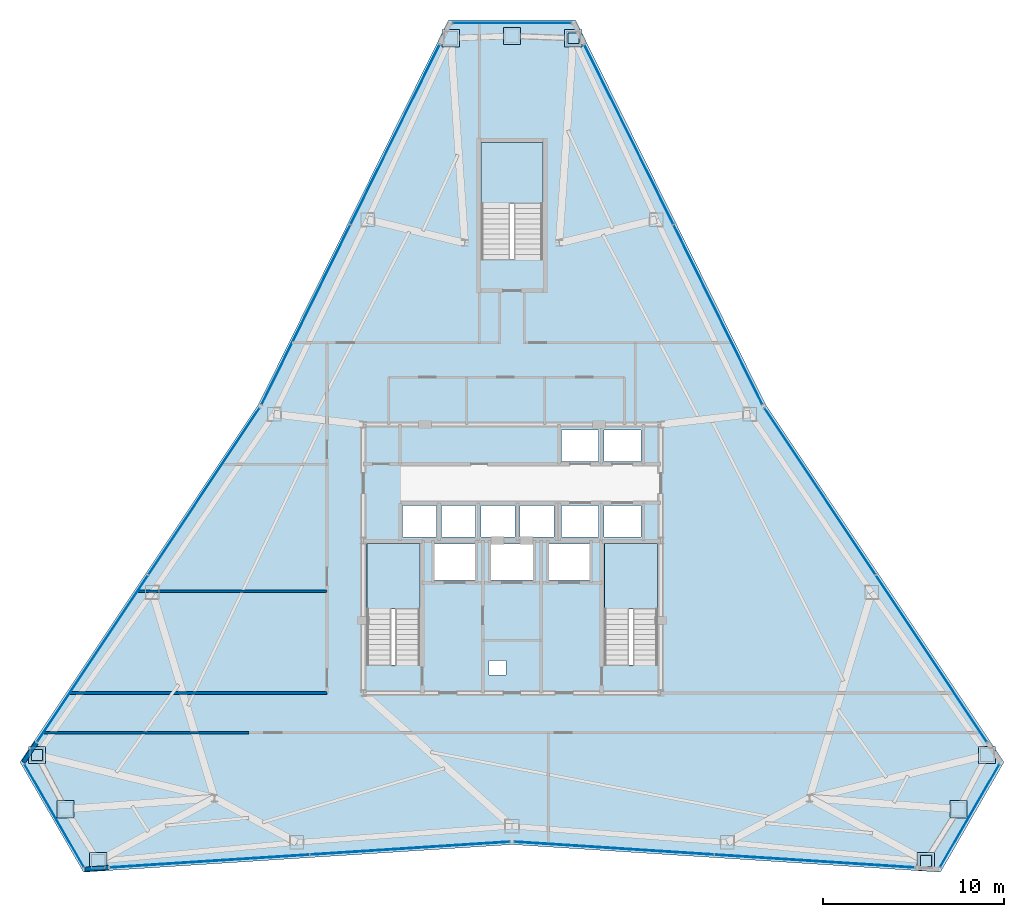
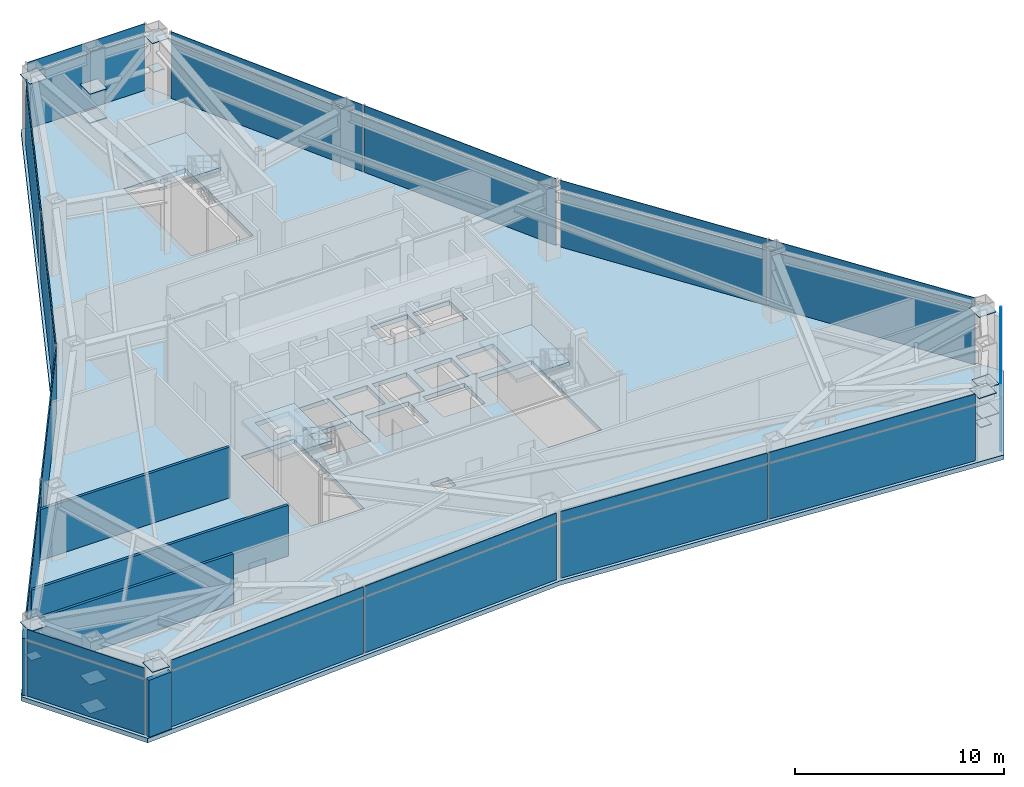
# One storey, part 9 of 13: 45 plates, 5 walls, 4 slabs, 12 elements without a shape of their own.
"""IFC4 building model written with IfcOpenShell, lengths in metres."""

from ifc_helpers import new_model, si_unit, direction, frame, frame_2d, origin, origin_2d, place, context, subcontext, project, spatial, polyline, rectangle, outline, extrude, source, transform, mapped, material, layer, layer_set, type_object, type_shapes, element, aggregate, save


model = new_model("IFC4")

# Units and contexts
model_context = context("Model", 3, precision=1e-05, world=origin(), true_north=direction((0.0, 1.0)))
body_context = subcontext(model_context, "Body", "Model", "MODEL_VIEW")
ifc_project = project(units=[si_unit("LENGTHUNIT", "METRE"), si_unit("AREAUNIT", "SQUARE_METRE"), si_unit("VOLUMEUNIT", "CUBIC_METRE"), si_unit("PLANEANGLEUNIT", "RADIAN"), si_unit("MASSUNIT", "GRAM", prefix="KILO")], contexts=[model_context])

# Site, building, storey
site_placement = place(None, origin())
site = spatial("IfcSite", under=ifc_project, at=site_placement, CompositionType="ELEMENT")
building_placement = place(site_placement, origin())
building = spatial("IfcBuilding", under=site, at=building_placement, Name="Varakhsha Concourse Tower", CompositionType="ELEMENT")
storey_placement = place(building_placement, frame((0.0, 0.0, 200.699951171875)))
storey = spatial("IfcBuildingStorey", under=building, at=storey_placement, Name="L57", CompositionType="ELEMENT", Elevation=200.699951171875)

# Slab
ifc_material_1 = material(Name="Concrete fc 45 MPa", Category="concrete")
ifc_layer_1 = layer(ifc_material_1, 0.260009765625, Name="SL-FLR-260")
ifc_layer_set_1 = layer_set([ifc_layer_1], Name="Concrete fc 45 MPa")
slab_type_1 = type_object("IfcSlabType", Name="SL-FLR-260", PredefinedType="FLOOR", material=ifc_layer_set_1)
slab_1_placement = place(storey_placement, frame((0.0, 0.0, -0.260009765625)))
element("IfcSlab", 1, at=slab_1_placement, inside=storey, type_object=slab_type_1, Name="L57 Composite Structural Slab", PredefinedType="FLOOR", context=body_context, shape_type="SweptSolid", body=[
    extrude(outline(polyline([(43.5, 53.497802734375), (36.5, 53.497802734375), (26.00537109375, 32.27978515625), (12.877197265625, 12.582275390625), (16.377197265625, 6.52001953125), (40.0, 8.04052734375), (63.622802734375, 6.52001953125), (67.122802734375, 12.582275390625), (53.99462890625, 32.27978515625), (43.5, 53.497802734375)]), holes=[polyline([(34.919921875, 17.93994140625), (34.919921875, 24.6298828125), (32.0, 24.6298828125), (32.0, 17.93994140625), (34.919921875, 17.93994140625)]), polyline([(48.02001953125, 17.93994140625), (48.02001953125, 24.6298828125), (45.10009765625, 24.6298828125), (45.10009765625, 17.93994140625), (48.02001953125, 17.93994140625)]), polyline([(41.699951171875, 40.300048828125), (41.699951171875, 46.75), (38.300048828125, 46.75), (38.300048828125, 40.300048828125), (41.699951171875, 40.300048828125)]), polyline([(33.9599609375, 25.0), (35.840087890625, 25.0), (35.840087890625, 26.739990234375), (33.9599609375, 26.739990234375), (33.9599609375, 25.0)]), polyline([(36.1201171875, 25.0), (38.0, 25.0), (38.0, 26.739990234375), (36.1201171875, 26.739990234375), (36.1201171875, 25.0)]), polyline([(38.280029296875, 25.0), (40.159912109375, 25.0), (40.159912109375, 26.739990234375), (38.280029296875, 26.739990234375), (38.280029296875, 25.0)]), polyline([(40.43994140625, 25.0), (42.320068359375, 25.0), (42.320068359375, 26.739990234375), (40.43994140625, 26.739990234375), (40.43994140625, 25.0)]), polyline([(42.739990234375, 29.159912109375), (44.780029296875, 29.159912109375), (44.780029296875, 30.89990234375), (42.739990234375, 30.89990234375), (42.739990234375, 29.159912109375)]), polyline([(45.06005859375, 29.159912109375), (47.10009765625, 29.159912109375), (47.10009765625, 30.89990234375), (45.06005859375, 30.89990234375), (45.06005859375, 29.159912109375)]), polyline([(42.739990234375, 25.0), (44.780029296875, 25.0), (44.780029296875, 26.739990234375), (42.739990234375, 26.739990234375), (42.739990234375, 25.0)]), polyline([(45.06005859375, 25.0), (47.10009765625, 25.0), (47.10009765625, 26.739990234375), (45.06005859375, 26.739990234375), (45.06005859375, 25.0)]), polyline([(35.7099609375, 22.639892578125), (37.989990234375, 22.639892578125), (37.989990234375, 24.60009765625), (35.7099609375, 24.60009765625), (35.7099609375, 22.639892578125)]), polyline([(42.010009765625, 22.639892578125), (44.2900390625, 22.639892578125), (44.2900390625, 24.60009765625), (42.010009765625, 24.60009765625), (42.010009765625, 22.639892578125)]), polyline([(38.81005859375, 22.639892578125), (41.18994140625, 22.639892578125), (41.18994140625, 24.60009765625), (38.81005859375, 24.60009765625), (38.81005859375, 22.639892578125)]), polyline([(38.719970703125, 17.39990234375), (39.679931640625, 17.39990234375), (39.679931640625, 18.199951171875), (38.719970703125, 18.199951171875), (38.719970703125, 17.39990234375)])]), origin(), (0.0, 0.0, 1.0), 0.260009765625),
])

# Stair, slab
stair_type_1 = type_object("IfcStairType", Name="ST-DOGLEG-1360", PredefinedType="HALF_TURN_STAIR", material=ifc_material_1)
stair_1_placement = place(storey_placement, origin())
stair_1 = element("IfcStair", 2, at=stair_1_placement, inside=storey, type_object=stair_type_1, Name="L57 Protected Exit Stair ST1", PredefinedType="HALF_TURN_STAIR")
ifc_layer_2 = layer(ifc_material_1, 0.199951171875, Name="SL-LAND-200")
ifc_layer_set_2 = layer_set([ifc_layer_2], Name="Concrete fc 45 MPa")
slab_type_2 = type_object("IfcSlabType", Name="SL-LAND-200", PredefinedType="LANDING", material=ifc_layer_set_2)
slab_2_placement = place(storey_placement, frame((0.0, 0.0, 1.900146484375)))
slab_2 = element("IfcSlab", 3, at=slab_2_placement, type_object=slab_type_2, Name="ST1 landing 1", PredefinedType="LANDING", context=body_context, shape_type="SweptSolid", body=[
    extrude(outline(polyline([(34.919921875, 21.02001953125), (34.919921875, 24.6298828125), (32.0, 24.6298828125), (32.0, 21.02001953125), (34.919921875, 21.02001953125)])), origin(), (0.0, 0.0, 1.0), 0.199951171875),
])
aggregate(stair_1, [slab_2])

stair_2_placement = place(storey_placement, origin())
stair_2 = element("IfcStair", 4, at=stair_2_placement, inside=storey, type_object=stair_type_1, Name="L57 Protected Exit Stair ST2", PredefinedType="HALF_TURN_STAIR")
slab_3_placement = place(storey_placement, frame((0.0, 0.0, 1.900146484375)))
slab_3 = element("IfcSlab", 5, at=slab_3_placement, type_object=slab_type_2, Name="ST2 landing 1", PredefinedType="LANDING", context=body_context, shape_type="SweptSolid", body=[
    extrude(outline(polyline([(48.02001953125, 21.02001953125), (48.02001953125, 24.6298828125), (45.10009765625, 24.6298828125), (45.10009765625, 21.02001953125), (48.02001953125, 21.02001953125)])), origin(), (0.0, 0.0, 1.0), 0.199951171875),
])
aggregate(stair_2, [slab_3])

stair_type_2 = type_object("IfcStairType", Name="ST-DOGLEG-1600", PredefinedType="HALF_TURN_STAIR", material=ifc_material_1)
stair_3_placement = place(storey_placement, origin())
stair_3 = element("IfcStair", 6, at=stair_3_placement, inside=storey, type_object=stair_type_2, Name="L57 Protected Exit Stair ST5", PredefinedType="HALF_TURN_STAIR")
slab_4_placement = place(storey_placement, frame((0.0, 0.0, 1.900146484375)))
slab_4 = element("IfcSlab", 7, at=slab_4_placement, type_object=slab_type_2, Name="ST5 landing 1", PredefinedType="LANDING", context=body_context, shape_type="SweptSolid", body=[
    extrude(outline(polyline([(41.699951171875, 43.3798828125), (41.699951171875, 46.75), (38.300048828125, 46.75), (38.300048828125, 43.3798828125), (41.699951171875, 43.3798828125)])), origin(), (0.0, 0.0, 1.0), 0.199951171875),
])
aggregate(stair_3, [slab_4])

# Plates
ifc_material_2 = material(Name="Structural Steel ASTM A572 Grade 50", Category="steel")
ifc_layer_3 = layer(ifc_material_2, 0.030029296875, Name="PL-ENDCAP-950")
ifc_layer_set_3 = layer_set([ifc_layer_3], Name="Structural Steel ASTM A572 Grade 50")
plate_type_1 = type_object("IfcPlateType", Name="PL-ENDCAP-950", PredefinedType="USERDEFINED", material=ifc_layer_set_3)
shared_shape_1 = source(origin(), body_context, "Body", "SweptSolid", [
    extrude(rectangle(XDim=0.949951171875, YDim=0.949951171875, at=origin_2d()), origin(), (0.0, 0.0, 1.0), 0.030029296875),
])
type_shapes(plate_type_1, [shared_shape_1])
for number, where, z_axis, x_axis, name in (
    (8, (40.0, 52.617919921875, 0.10498046875), (0.0, 0.0, 1.0), (1.0, 0.0, 0.0), "Hollow Section End Cap GP-NODE-L57-0583"),
    (9, (43.3798828125, 52.492919921875, 3.63525390625), (0.0, 0.0, 1.0), (1.0, 0.0, 0.0), "Hollow Section End Cap GP-NODE-L57-0584"),
    (10, (36.6201171875, 52.492919921875, 3.63525390625), (0.0, 0.0, 1.0), (1.0, 0.0, 0.0), "Hollow Section End Cap GP-NODE-L57-0585"),
    (11, (15.389404296875, 9.9912109375, 0.10498046875), (0.0, 0.0, 1.0), (1.0, 0.0, 0.0), "Hollow Section End Cap GP-NODE-L57-0586"),
    (12, (13.8076171875, 12.980712890625, 3.63525390625), (0.0, 0.0, 1.0), (1.0, 0.0, 0.0), "Hollow Section End Cap GP-NODE-L57-0587"),
    (13, (17.1875, 7.12646484375, 3.63525390625), (0.0, 0.0, 1.0), (1.0, 0.0, 0.0), "Hollow Section End Cap GP-NODE-L57-0588"),
    (14, (64.610595703125, 9.9912109375, 0.10498046875), (0.0, 0.0, 1.0), (1.0, 0.0, 0.0), "Hollow Section End Cap GP-NODE-L57-0589"),
    (15, (62.8125, 7.12646484375, 3.63525390625), (0.0, 0.0, 1.0), (1.0, 0.0, 0.0), "Hollow Section End Cap GP-NODE-L57-0590"),
    (16, (66.1923828125, 12.980712890625, 3.63525390625), (0.0, 0.0, 1.0), (1.0, 0.0, 0.0), "Hollow Section End Cap GP-NODE-L57-0591"),
    (17, (40.0, 52.617919921875, 1.78515625), (0.0, 0.0, 1.0), (1.0, 0.0, 0.0), "Hollow Section End Cap GP-NODE-L57-0592"),
    (18, (15.389404296875, 9.9912109375, 1.78515625), (0.0, 0.0, 1.0), (1.0, 0.0, 0.0), "Hollow Section End Cap GP-NODE-L57-0593"),
    (19, (64.610595703125, 9.9912109375, 1.78515625), (0.0, 0.0, 1.0), (1.0, 0.0, 0.0), "Hollow Section End Cap GP-NODE-L57-0594"),
):
    element("IfcPlate", number, at=place(storey_placement, frame(where, z_axis=z_axis, x_axis=x_axis)), inside=storey, type_object=plate_type_1, Name=name, ObjectType="END PLATE", PredefinedType="USERDEFINED", context=body_context, shape_type="MappedRepresentation", body=[
        mapped(shared_shape_1, transform((0.0, 0.0, 0.0), scale=1.0)),
    ])
ifc_layer_4 = layer(ifc_material_2, 0.030029296875, Name="PL-BASE-600")
ifc_layer_set_4 = layer_set([ifc_layer_4], Name="Structural Steel ASTM A572 Grade 50")
plate_type_2 = type_object("IfcPlateType", Name="PL-BASE-600", PredefinedType="SHEET", material=ifc_layer_set_4)
shared_shape_2 = source(origin(), body_context, "Body", "SweptSolid", [
    extrude(rectangle(XDim=0.60009765625, YDim=0.60009765625, at=origin_2d()), origin(), (0.0, 0.0, 1.0), 0.030029296875),
])
type_shapes(plate_type_2, [shared_shape_2])
for number, where, z_axis, x_axis, name in (
    (20, (43.3798828125, 52.492919921875, 1.78515625), (0.0, 0.0, 1.0), (1.0, 0.0, 0.0), "Hollow Section End Cap BP-WTIE-L57-1"),
    (21, (13.8076171875, 12.980712890625, 1.78515625), (0.0, 0.0, 1.0), (1.0, 0.0, 0.0), "Hollow Section End Cap BP-WTIE-L57-2"),
    (22, (62.8125, 7.12646484375, 1.78515625), (0.0, 0.0, 1.0), (1.0, 0.0, 0.0), "Hollow Section End Cap BP-WTIE-L57-3"),
):
    element("IfcPlate", number, at=place(storey_placement, frame(where, z_axis=z_axis, x_axis=x_axis)), inside=storey, type_object=plate_type_2, Name=name, PredefinedType="SHEET", context=body_context, shape_type="MappedRepresentation", body=[
        mapped(shared_shape_2, transform((0.0, 0.0, 0.0), scale=1.0)),
    ])

# Curtain wall, plates
ifc_material_3 = material(Name="Anodised Bronze Architectural Aluminium AA 6063-T6", Category="aluminium")
ifc_layer_5 = layer(ifc_material_3, 0.199951171875, Name="CW-SYS-05")
ifc_layer_set_5 = layer_set([ifc_layer_5], Name="Anodised Bronze Architectural Aluminium AA 6063-T6")
curtain_wall_type = type_object("IfcCurtainWallType", Name="CW-SYS-05", PredefinedType="NOTDEFINED", material=ifc_layer_set_5)
curtain_wall_1_placement = place(storey_placement, origin())
curtain_wall_1 = element("IfcCurtainWall", 23, at=curtain_wall_1_placement, inside=storey, type_object=curtain_wall_type, Name="L57 Chamfer Curtain Wall F1", PredefinedType="NOTDEFINED")
ifc_material_4 = material(Name="Insulated Anodised Bronze Aluminium Spandrel 36 mm", Category="aluminium")
ifc_layer_6 = layer(ifc_material_4, 0.035888671875, Name="CWP-SPN-36")
ifc_layer_set_6 = layer_set([ifc_layer_6], Name="Insulated Anodised Bronze Aluminium Spandrel 36 mm")
plate_type_3 = type_object("IfcPlateType", Name="CWP-SPN-36", PredefinedType="USERDEFINED", material=ifc_layer_set_6)
shared_shape_3 = source(origin(), body_context, "Body", "SweptSolid", [
    extrude(rectangle(XDim=6.490966796875, YDim=0.035888671875, at=origin_2d()), origin(), (0.0, 0.0, 1.0), 3.236083984375),
])
plate_1_placement = place(storey_placement, frame((40.0, 53.337890625, 0.0322265625), z_axis=(0.0, 0.0, 1.0), x_axis=(1.0, 0.0, 0.0)))
plate_1 = element("IfcPlate", 24, at=plate_1_placement, type_object=plate_type_3, Name="CW-L57-F1 Panel 00-00", ObjectType="SPANDREL", PredefinedType="USERDEFINED", context=body_context, shape_type="MappedRepresentation", body=[
    mapped(shared_shape_3, transform((0.0, 0.0, 0.0), scale=1.0)),
])
shared_shape_4 = source(origin(), body_context, "Body", "SweptSolid", [
    extrude(rectangle(XDim=6.490966796875, YDim=0.035888671875, at=origin_2d()), origin(), (0.0, 0.0, 1.0), 0.5859375),
])
plate_2_placement = place(storey_placement, frame((40.0, 53.337890625, 3.33203125), z_axis=(0.0, 0.0, 1.0), x_axis=(1.0, 0.0, 0.0)))
plate_2 = element("IfcPlate", 25, at=plate_2_placement, type_object=plate_type_3, Name="CW-L57-F1 Panel 00-01", ObjectType="SPANDREL", PredefinedType="USERDEFINED", context=body_context, shape_type="MappedRepresentation", body=[
    mapped(shared_shape_4, transform((0.0, 0.0, 0.0), scale=1.0)),
])
aggregate(curtain_wall_1, [plate_1, plate_2])

# Curtain wall, plate
curtain_wall_2_placement = place(storey_placement, origin())
curtain_wall_2 = element("IfcCurtainWall", 26, at=curtain_wall_2_placement, inside=storey, type_object=curtain_wall_type, Name="L57 Crystal Curtain Wall F2", PredefinedType="NOTDEFINED")
ifc_material_5 = material(Name="Low-E Triple Insulating Glass IGU 44 mm", Category="glass")
ifc_layer_7 = layer(ifc_material_5, 0.0439453125, Name="CWP-IGU-44")
ifc_layer_set_7 = layer_set([ifc_layer_7], Name="Low-E Triple Insulating Glass IGU 44 mm")
plate_type_4 = type_object("IfcPlateType", Name="CWP-IGU-44", PredefinedType="CURTAIN_PANEL", material=ifc_layer_set_7)
shared_shape_5 = source(origin(), body_context, "Body", "SweptSolid", [
    extrude(rectangle(XDim=11.016845703125, YDim=0.0439453125, at=origin_2d()), origin(), (0.0, 0.0, 1.0), 3.236083984375),
])
plate_3_placement = place(storey_placement, frame((28.6416015625, 37.2490234375, 0.0322265625), z_axis=(0.0, 0.0, 1.0), x_axis=(0.443343421923, 0.896351833957, 0.0)))
plate_3 = element("IfcPlate", 27, at=plate_3_placement, type_object=plate_type_4, Name="CW-L57-F2 Panel 00-00", PredefinedType="CURTAIN_PANEL", context=body_context, shape_type="MappedRepresentation", body=[
    mapped(shared_shape_5, transform((0.0, 0.0, 0.0), scale=1.0)),
])

# Curtain wall, plates
curtain_wall_3_placement = place(storey_placement, origin())
curtain_wall_3 = element("IfcCurtainWall", 28, at=curtain_wall_3_placement, inside=storey, type_object=curtain_wall_type, Name="L57 Crystal Curtain Wall F3", PredefinedType="NOTDEFINED")
plate_4_placement = place(storey_placement, frame((16.8720703125, 18.287353515625, 0.0322265625), z_axis=(0.0, 0.0, 1.0), x_axis=(0.554591747974, 0.832122582964, 0.0)))
plate_4 = element("IfcPlate", 29, at=plate_4_placement, type_object=plate_type_4, Name="CW-L57-F3 Panel 00-00", PredefinedType="CURTAIN_PANEL", context=body_context, shape_type="MappedRepresentation", body=[
    mapped(shared_shape_5, transform((0.0, 0.0, 0.0), scale=1.0)),
])
plate_5_placement = place(storey_placement, frame((23.02001953125, 27.51220703125, 0.0322265625), z_axis=(0.0, 0.0, 1.0), x_axis=(0.554591747974, 0.832122582964, 0.0)))
plate_5 = element("IfcPlate", 30, at=plate_5_placement, type_object=plate_type_4, Name="CW-L57-F3 Panel 01-00", PredefinedType="CURTAIN_PANEL", context=body_context, shape_type="MappedRepresentation", body=[
    mapped(shared_shape_5, transform((0.0, 0.0, 0.0), scale=1.0)),
])

curtain_wall_4_placement = place(storey_placement, origin())
curtain_wall_4 = element("IfcCurtainWall", 31, at=curtain_wall_4_placement, inside=storey, type_object=curtain_wall_type, Name="L57 Crystal Curtain Wall F5", PredefinedType="NOTDEFINED")
plate_6_placement = place(storey_placement, frame((34.37841796875, 7.839111328125, 0.0322265625), z_axis=(0.0, 0.0, 1.0), x_axis=(-0.997935057794, -0.064230992718, 0.0)))
plate_6 = element("IfcPlate", 32, at=plate_6_placement, type_object=plate_type_4, Name="CW-L57-F5 Panel 00-00", PredefinedType="CURTAIN_PANEL", context=body_context, shape_type="MappedRepresentation", body=[
    mapped(shared_shape_5, transform((0.0, 0.0, 0.0), scale=1.0)),
])
plate_7_placement = place(storey_placement, frame((23.3154296875, 7.126953125, 0.0322265625), z_axis=(0.0, 0.0, 1.0), x_axis=(-0.997935057794, -0.064230992718, 0.0)))
plate_7 = element("IfcPlate", 33, at=plate_7_placement, type_object=plate_type_4, Name="CW-L57-F5 Panel 01-00", PredefinedType="CURTAIN_PANEL", context=body_context, shape_type="MappedRepresentation", body=[
    mapped(shared_shape_5, transform((0.0, 0.0, 0.0), scale=1.0)),
])

curtain_wall_5_placement = place(storey_placement, origin())
curtain_wall_5 = element("IfcCurtainWall", 34, at=curtain_wall_5_placement, inside=storey, type_object=curtain_wall_type, Name="L57 Crystal Curtain Wall F6", PredefinedType="NOTDEFINED")
plate_8_placement = place(storey_placement, frame((56.684326171875, 7.126953125, 0.0322265625), z_axis=(0.0, 0.0, 1.0), x_axis=(-0.997935057794, 0.064230992718, 0.0)))
plate_8 = element("IfcPlate", 35, at=plate_8_placement, type_object=plate_type_4, Name="CW-L57-F6 Panel 00-00", PredefinedType="CURTAIN_PANEL", context=body_context, shape_type="MappedRepresentation", body=[
    mapped(shared_shape_5, transform((0.0, 0.0, 0.0), scale=1.0)),
])
plate_9_placement = place(storey_placement, frame((45.62158203125, 7.839111328125, 0.0322265625), z_axis=(0.0, 0.0, 1.0), x_axis=(-0.997935057794, 0.064230992718, 0.0)))
plate_9 = element("IfcPlate", 36, at=plate_9_placement, type_object=plate_type_4, Name="CW-L57-F6 Panel 01-00", PredefinedType="CURTAIN_PANEL", context=body_context, shape_type="MappedRepresentation", body=[
    mapped(shared_shape_5, transform((0.0, 0.0, 0.0), scale=1.0)),
])

curtain_wall_6_placement = place(storey_placement, origin())
curtain_wall_6 = element("IfcCurtainWall", 37, at=curtain_wall_6_placement, inside=storey, type_object=curtain_wall_type, Name="L57 Crystal Curtain Wall F8", PredefinedType="NOTDEFINED")
plate_10_placement = place(storey_placement, frame((56.979736328125, 27.51220703125, 0.0322265625), z_axis=(0.0, 0.0, 1.0), x_axis=(0.554591747974, -0.832122582964, 0.0)))
plate_10 = element("IfcPlate", 38, at=plate_10_placement, type_object=plate_type_4, Name="CW-L57-F8 Panel 00-00", PredefinedType="CURTAIN_PANEL", context=body_context, shape_type="MappedRepresentation", body=[
    mapped(shared_shape_5, transform((0.0, 0.0, 0.0), scale=1.0)),
])
plate_11_placement = place(storey_placement, frame((63.1279296875, 18.287353515625, 0.0322265625), z_axis=(0.0, 0.0, 1.0), x_axis=(0.554591747974, -0.832122582964, 0.0)))
plate_11 = element("IfcPlate", 39, at=plate_11_placement, type_object=plate_type_4, Name="CW-L57-F8 Panel 01-00", PredefinedType="CURTAIN_PANEL", context=body_context, shape_type="MappedRepresentation", body=[
    mapped(shared_shape_5, transform((0.0, 0.0, 0.0), scale=1.0)),
])

# Curtain wall, plate
curtain_wall_7_placement = place(storey_placement, origin())
curtain_wall_7 = element("IfcCurtainWall", 40, at=curtain_wall_7_placement, inside=storey, type_object=curtain_wall_type, Name="L57 Crystal Curtain Wall F9", PredefinedType="NOTDEFINED")
plate_12_placement = place(storey_placement, frame((46.443603515625, 47.185791015625, 0.0322265625), z_axis=(0.0, 0.0, 1.0), x_axis=(0.443343421923, -0.896351833957, 0.0)))
plate_12 = element("IfcPlate", 41, at=plate_12_placement, type_object=plate_type_4, Name="CW-L57-F9 Panel 00-00", PredefinedType="CURTAIN_PANEL", context=body_context, shape_type="MappedRepresentation", body=[
    mapped(shared_shape_5, transform((0.0, 0.0, 0.0), scale=1.0)),
])

# Plate
shared_shape_6 = source(origin(), body_context, "Body", "SweptSolid", [
    extrude(rectangle(XDim=11.016845703125, YDim=0.035888671875, at=origin_2d()), origin(), (0.0, 0.0, 1.0), 0.5859375),
])
plate_13_placement = place(storey_placement, frame((28.6416015625, 37.2490234375, 3.33203125), z_axis=(0.0, 0.0, 1.0), x_axis=(0.443343421923, 0.896351833957, 0.0)))
plate_13 = element("IfcPlate", 42, at=plate_13_placement, type_object=plate_type_3, Name="CW-L57-F2 Panel 00-01", ObjectType="SPANDREL", PredefinedType="USERDEFINED", context=body_context, shape_type="MappedRepresentation", body=[
    mapped(shared_shape_6, transform((0.0, 0.0, 0.0), scale=1.0)),
])

plate_14_placement = place(storey_placement, frame((16.8720703125, 18.287353515625, 3.33203125), z_axis=(0.0, 0.0, 1.0), x_axis=(0.554591747974, 0.832122582964, 0.0)))
plate_14 = element("IfcPlate", 43, at=plate_14_placement, type_object=plate_type_3, Name="CW-L57-F3 Panel 00-01", ObjectType="SPANDREL", PredefinedType="USERDEFINED", context=body_context, shape_type="MappedRepresentation", body=[
    mapped(shared_shape_6, transform((0.0, 0.0, 0.0), scale=1.0)),
])

plate_15_placement = place(storey_placement, frame((23.02001953125, 27.51220703125, 3.33203125), z_axis=(0.0, 0.0, 1.0), x_axis=(0.554591747974, 0.832122582964, 0.0)))
plate_15 = element("IfcPlate", 44, at=plate_15_placement, type_object=plate_type_3, Name="CW-L57-F3 Panel 01-01", ObjectType="SPANDREL", PredefinedType="USERDEFINED", context=body_context, shape_type="MappedRepresentation", body=[
    mapped(shared_shape_6, transform((0.0, 0.0, 0.0), scale=1.0)),
])

aggregate(curtain_wall_3, [plate_4, plate_14, plate_5, plate_15])

plate_16_placement = place(storey_placement, frame((34.37841796875, 7.839111328125, 3.33203125), z_axis=(0.0, 0.0, 1.0), x_axis=(-0.997935057794, -0.064230992718, 0.0)))
plate_16 = element("IfcPlate", 45, at=plate_16_placement, type_object=plate_type_3, Name="CW-L57-F5 Panel 00-01", ObjectType="SPANDREL", PredefinedType="USERDEFINED", context=body_context, shape_type="MappedRepresentation", body=[
    mapped(shared_shape_6, transform((0.0, 0.0, 0.0), scale=1.0)),
])

plate_17_placement = place(storey_placement, frame((23.3154296875, 7.126953125, 3.33203125), z_axis=(0.0, 0.0, 1.0), x_axis=(-0.997935057794, -0.064230992718, 0.0)))
plate_17 = element("IfcPlate", 46, at=plate_17_placement, type_object=plate_type_3, Name="CW-L57-F5 Panel 01-01", ObjectType="SPANDREL", PredefinedType="USERDEFINED", context=body_context, shape_type="MappedRepresentation", body=[
    mapped(shared_shape_6, transform((0.0, 0.0, 0.0), scale=1.0)),
])

aggregate(curtain_wall_4, [plate_6, plate_16, plate_7, plate_17])

plate_18_placement = place(storey_placement, frame((56.684326171875, 7.126953125, 3.33203125), z_axis=(0.0, 0.0, 1.0), x_axis=(-0.997935057794, 0.064230992718, 0.0)))
plate_18 = element("IfcPlate", 47, at=plate_18_placement, type_object=plate_type_3, Name="CW-L57-F6 Panel 00-01", ObjectType="SPANDREL", PredefinedType="USERDEFINED", context=body_context, shape_type="MappedRepresentation", body=[
    mapped(shared_shape_6, transform((0.0, 0.0, 0.0), scale=1.0)),
])

plate_19_placement = place(storey_placement, frame((45.62158203125, 7.839111328125, 3.33203125), z_axis=(0.0, 0.0, 1.0), x_axis=(-0.997935057794, 0.064230992718, 0.0)))
plate_19 = element("IfcPlate", 48, at=plate_19_placement, type_object=plate_type_3, Name="CW-L57-F6 Panel 01-01", ObjectType="SPANDREL", PredefinedType="USERDEFINED", context=body_context, shape_type="MappedRepresentation", body=[
    mapped(shared_shape_6, transform((0.0, 0.0, 0.0), scale=1.0)),
])

aggregate(curtain_wall_5, [plate_8, plate_18, plate_9, plate_19])

plate_20_placement = place(storey_placement, frame((56.979736328125, 27.51220703125, 3.33203125), z_axis=(0.0, 0.0, 1.0), x_axis=(0.554591747974, -0.832122582964, 0.0)))
plate_20 = element("IfcPlate", 49, at=plate_20_placement, type_object=plate_type_3, Name="CW-L57-F8 Panel 00-01", ObjectType="SPANDREL", PredefinedType="USERDEFINED", context=body_context, shape_type="MappedRepresentation", body=[
    mapped(shared_shape_6, transform((0.0, 0.0, 0.0), scale=1.0)),
])

plate_21_placement = place(storey_placement, frame((63.1279296875, 18.287353515625, 3.33203125), z_axis=(0.0, 0.0, 1.0), x_axis=(0.554591747974, -0.832122582964, 0.0)))
plate_21 = element("IfcPlate", 50, at=plate_21_placement, type_object=plate_type_3, Name="CW-L57-F8 Panel 01-01", ObjectType="SPANDREL", PredefinedType="USERDEFINED", context=body_context, shape_type="MappedRepresentation", body=[
    mapped(shared_shape_6, transform((0.0, 0.0, 0.0), scale=1.0)),
])

aggregate(curtain_wall_6, [plate_10, plate_20, plate_11, plate_21])

plate_22_placement = place(storey_placement, frame((46.443603515625, 47.185791015625, 3.33203125), z_axis=(0.0, 0.0, 1.0), x_axis=(0.443343421923, -0.896351833957, 0.0)))
plate_22 = element("IfcPlate", 51, at=plate_22_placement, type_object=plate_type_3, Name="CW-L57-F9 Panel 00-01", ObjectType="SPANDREL", PredefinedType="USERDEFINED", context=body_context, shape_type="MappedRepresentation", body=[
    mapped(shared_shape_6, transform((0.0, 0.0, 0.0), scale=1.0)),
])

shared_shape_7 = source(origin(), body_context, "Body", "SweptSolid", [
    extrude(rectangle(XDim=11.0166015625, YDim=0.0439453125, at=origin_2d()), origin(), (0.0, 0.0, 1.0), 3.236083984375),
])
type_shapes(plate_type_4, [shared_shape_5, shared_shape_7])
plate_23_placement = place(storey_placement, frame((33.556396484375, 47.185791015625, 0.0322265625), z_axis=(0.0, 0.0, 1.0), x_axis=(0.443343421923, 0.896351833957, 0.0)))
plate_23 = element("IfcPlate", 52, at=plate_23_placement, type_object=plate_type_4, Name="CW-L57-F2 Panel 01-00", PredefinedType="CURTAIN_PANEL", context=body_context, shape_type="MappedRepresentation", body=[
    mapped(shared_shape_7, transform((0.0, 0.0, 0.0), scale=1.0)),
])

plate_24_placement = place(storey_placement, frame((51.3583984375, 37.2490234375, 0.0322265625), z_axis=(0.0, 0.0, 1.0), x_axis=(0.443343421923, -0.896351833957, 0.0)))
plate_24 = element("IfcPlate", 53, at=plate_24_placement, type_object=plate_type_4, Name="CW-L57-F9 Panel 01-00", PredefinedType="CURTAIN_PANEL", context=body_context, shape_type="MappedRepresentation", body=[
    mapped(shared_shape_7, transform((0.0, 0.0, 0.0), scale=1.0)),
])

shared_shape_8 = source(origin(), body_context, "Body", "SweptSolid", [
    extrude(rectangle(XDim=11.0166015625, YDim=0.035888671875, at=origin_2d()), origin(), (0.0, 0.0, 1.0), 0.5859375),
])
plate_25_placement = place(storey_placement, frame((33.556396484375, 47.185791015625, 3.33203125), z_axis=(0.0, 0.0, 1.0), x_axis=(0.443343421923, 0.896351833957, 0.0)))
plate_25 = element("IfcPlate", 54, at=plate_25_placement, type_object=plate_type_3, Name="CW-L57-F2 Panel 01-01", ObjectType="SPANDREL", PredefinedType="USERDEFINED", context=body_context, shape_type="MappedRepresentation", body=[
    mapped(shared_shape_8, transform((0.0, 0.0, 0.0), scale=1.0)),
])

aggregate(curtain_wall_2, [plate_3, plate_13, plate_23, plate_25])

plate_26_placement = place(storey_placement, frame((51.3583984375, 37.2490234375, 3.33203125), z_axis=(0.0, 0.0, 1.0), x_axis=(0.443343421923, -0.896351833957, 0.0)))
plate_26 = element("IfcPlate", 55, at=plate_26_placement, type_object=plate_type_3, Name="CW-L57-F9 Panel 01-01", ObjectType="SPANDREL", PredefinedType="USERDEFINED", context=body_context, shape_type="MappedRepresentation", body=[
    mapped(shared_shape_8, transform((0.0, 0.0, 0.0), scale=1.0)),
])

aggregate(curtain_wall_7, [plate_12, plate_22, plate_24, plate_26])

# Curtain wall, plate
curtain_wall_8_placement = place(storey_placement, origin())
curtain_wall_8 = element("IfcCurtainWall", 56, at=curtain_wall_8_placement, inside=storey, type_object=curtain_wall_type, Name="L57 Chamfer Curtain Wall F4", PredefinedType="NOTDEFINED")
shared_shape_9 = source(origin(), body_context, "Body", "SweptSolid", [
    extrude(rectangle(XDim=6.4912109375, YDim=0.035888671875, at=origin_2d()), origin(), (0.0, 0.0, 1.0), 3.236083984375),
])
plate_27_placement = place(storey_placement, frame((14.765869140625, 9.631103515625, 0.0322265625), z_axis=(0.0, 0.0, 1.0), x_axis=(-0.499995465495, 0.866028021766, 0.0)))
plate_27 = element("IfcPlate", 57, at=plate_27_placement, type_object=plate_type_3, Name="CW-L57-F4 Panel 00-00", ObjectType="SPANDREL", PredefinedType="USERDEFINED", context=body_context, shape_type="MappedRepresentation", body=[
    mapped(shared_shape_9, transform((0.0, 0.0, 0.0), scale=1.0)),
])

curtain_wall_9_placement = place(storey_placement, origin())
curtain_wall_9 = element("IfcCurtainWall", 58, at=curtain_wall_9_placement, inside=storey, type_object=curtain_wall_type, Name="L57 Chamfer Curtain Wall F7", PredefinedType="NOTDEFINED")
plate_28_placement = place(storey_placement, frame((65.234130859375, 9.631103515625, 0.0322265625), z_axis=(0.0, 0.0, 1.0), x_axis=(-0.499995465495, -0.866028021766, 0.0)))
plate_28 = element("IfcPlate", 59, at=plate_28_placement, type_object=plate_type_3, Name="CW-L57-F7 Panel 00-00", ObjectType="SPANDREL", PredefinedType="USERDEFINED", context=body_context, shape_type="MappedRepresentation", body=[
    mapped(shared_shape_9, transform((0.0, 0.0, 0.0), scale=1.0)),
])

# Plate
shared_shape_10 = source(origin(), body_context, "Body", "SweptSolid", [
    extrude(rectangle(XDim=6.4912109375, YDim=0.035888671875, at=origin_2d()), origin(), (0.0, 0.0, 1.0), 0.5859375),
])
type_shapes(plate_type_3, [shared_shape_3, shared_shape_4, shared_shape_6, shared_shape_8, shared_shape_9, shared_shape_10])
plate_29_placement = place(storey_placement, frame((14.765869140625, 9.631103515625, 3.33203125), z_axis=(0.0, 0.0, 1.0), x_axis=(-0.499995465495, 0.866028021766, 0.0)))
plate_29 = element("IfcPlate", 60, at=plate_29_placement, type_object=plate_type_3, Name="CW-L57-F4 Panel 00-01", ObjectType="SPANDREL", PredefinedType="USERDEFINED", context=body_context, shape_type="MappedRepresentation", body=[
    mapped(shared_shape_10, transform((0.0, 0.0, 0.0), scale=1.0)),
])

aggregate(curtain_wall_8, [plate_27, plate_29])

plate_30_placement = place(storey_placement, frame((65.234130859375, 9.631103515625, 3.33203125), z_axis=(0.0, 0.0, 1.0), x_axis=(-0.499995465495, -0.866028021766, 0.0)))
plate_30 = element("IfcPlate", 61, at=plate_30_placement, type_object=plate_type_3, Name="CW-L57-F7 Panel 00-01", ObjectType="SPANDREL", PredefinedType="USERDEFINED", context=body_context, shape_type="MappedRepresentation", body=[
    mapped(shared_shape_10, transform((0.0, 0.0, 0.0), scale=1.0)),
])

aggregate(curtain_wall_9, [plate_28, plate_30])

# Walls
ifc_layer_8 = layer(ifc_material_1, 0.239990234375, Name="WL-EXT-CRN-240")
ifc_layer_set_8 = layer_set([ifc_layer_8], Name="Concrete fc 45 MPa")
wall_type_1 = type_object("IfcWallType", Name="WL-EXT-CRN-240", PredefinedType="SHEAR", material=ifc_layer_set_8)
wall_1_placement = place(storey_placement, frame((13.780029296875, 13.64794921875, 0.0), z_axis=(0.0, 0.0, 1.0), x_axis=(-0.554700196225, -0.832050294338, 0.0)))
element("IfcWall", 62, at=wall_1_placement, inside=storey, type_object=wall_type_1, Name="L57 Wind-Corner Shoulder Wall F3", PredefinedType="SHEAR", context=body_context, shape_type="SweptSolid", body=[
    extrude(rectangle(XDim=1.28955078125, YDim=0.239990234375, at=frame_2d((0.644775390625, 0.0))), origin(), (0.0, 0.0, 1.0), 3.322998046875),
])
wall_2_placement = place(storey_placement, frame((16.4638671875, 6.685791015625, 0.0), z_axis=(0.0, 0.0, 1.0), x_axis=(0.997929227966, 0.064321504741, 0.0)))
element("IfcWall", 63, at=wall_2_placement, inside=storey, type_object=wall_type_1, Name="L57 Wind-Corner Shoulder Wall F5", PredefinedType="SHEAR", context=body_context, shape_type="SweptSolid", body=[
    extrude(rectangle(XDim=1.29052734375, YDim=0.239990234375, at=frame_2d((0.645263671875, 0.0))), origin(), (0.0, 0.0, 1.0), 3.322998046875),
])
ifc_material_6 = material(Name="Fire-Rated Type X Gypsum Partition Assembly", Category="gypsum")
ifc_layer_9 = layer(ifc_material_6, 0.14990234375, Name="WL-PART-150")
ifc_layer_set_9 = layer_set([ifc_layer_9], Name="Fire-Rated Type X Gypsum Partition Assembly")
wall_type_2 = type_object("IfcWallType", Name="WL-PART-150", PredefinedType="PARTITIONING", material=ifc_layer_set_9)
wall_3_placement = place(storey_placement, frame((14.15380859375, 14.199951171875, 0.0), z_axis=(0.0, 0.0, 1.0), x_axis=(1.0, 0.0, 0.0)))
element("IfcWall", 64, at=wall_3_placement, inside=storey, type_object=wall_type_2, Name="L57 Wall CRW-SGAL-SW-L57", PredefinedType="PARTITIONING", context=body_context, shape_type="SweptSolid", body=[
    extrude(rectangle(XDim=11.34619140625, YDim=0.14990234375, at=frame_2d((5.673095703125, 0.0))), origin(), (0.0, 0.0, 1.0), 2.965087890625),
])
wall_4_placement = place(storey_placement, frame((15.6201171875, 16.39990234375, 0.0), z_axis=(0.0, 0.0, 1.0), x_axis=(1.0, 0.0, 0.0)))
element("IfcWall", 65, at=wall_4_placement, inside=storey, type_object=wall_type_2, Name="L57 Wall CRW-SGAL-NW-L57", PredefinedType="PARTITIONING", context=body_context, shape_type="SweptSolid", body=[
    extrude(rectangle(XDim=14.179931640625, YDim=0.14990234375, at=frame_2d((7.08984375, 0.0))), origin(), (0.0, 0.0, 1.0), 2.965087890625),
])
wall_5_placement = place(storey_placement, frame((19.352294921875, 22.0, 0.0), z_axis=(0.0, 0.0, 1.0), x_axis=(1.0, 0.0, 0.0)))
element("IfcWall", 66, at=wall_5_placement, inside=storey, type_object=wall_type_2, Name="L57 Wall ODIV-W1-L57", PredefinedType="PARTITIONING", context=body_context, shape_type="SweptSolid", body=[
    extrude(rectangle(XDim=10.44775390625, YDim=0.14990234375, at=frame_2d((5.223876953125, 0.0))), origin(), (0.0, 0.0, 1.0), 2.965087890625),
])

save(model, "model.ifc")
